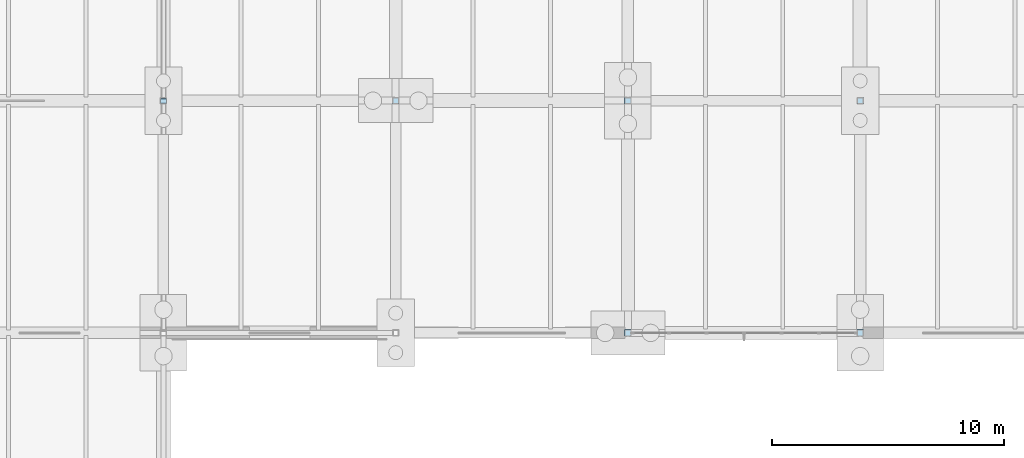
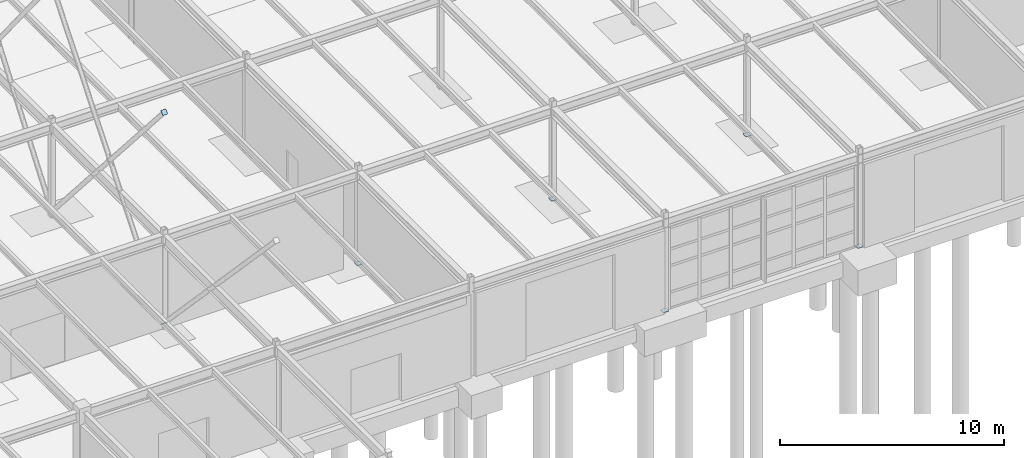
# One storey, part 105 of 145: 7 plates.
"""IFC4 building model written with IfcOpenShell, lengths in metres."""

import ifcopenshell
import ifcopenshell.guid

model = None  # the IFC model being written
_history = None  # IfcOwnerHistory: only IFC2X3 demands one
_inside = {}  # id of a spatial element -> (the spatial element, [elements in it])
_under = {}  # id of a project, library or spatial element -> (it, [spatial elements below it])
_declared = {}  # id of a project -> (the project, [libraries it declares])
_typed = {}  # id of a type object -> (the type object, [elements of that type])
_made_of = {}  # id of a material, layer set ... -> (it, [elements and type objects made of it])


def new_model(schema):
    """Start an empty IFC model of exactly this schema.

    Asked for "IFC4X3", IfcOpenShell would pick the latest addendum, in which some entities
    have other attributes; the version numbers below select the first issue.
    IFC2X3 requires an IfcOwnerHistory on every rooted entity: one is made here for all.
    """
    global model, _history
    if schema == "IFC4X3":
        model = ifcopenshell.file(schema_version=(4, 3, 0, 0))
    else:
        model = ifcopenshell.file(schema=schema)
    _inside.clear()
    _under.clear()
    _declared.clear()
    _typed.clear()
    _made_of.clear()
    _history = None
    if model.schema == "IFC2X3":
        org = make("IfcOrganization", Name="unknown")
        user = make(
            "IfcPersonAndOrganization",
            ThePerson=make("IfcPerson", FamilyName="unknown"),
            TheOrganization=org,
        )
        app = make(
            "IfcApplication",
            ApplicationDeveloper=org,
            Version="unknown",
            ApplicationFullName="unknown",
            ApplicationIdentifier="unknown",
        )
        _history = make(
            "IfcOwnerHistory",
            OwningUser=user,
            OwningApplication=app,
            ChangeAction="ADDED",
            CreationDate=0,
        )
    return model


def make(cls, **values):
    """One entity of the class cls with the attributes given. An attribute that is None is left unset."""
    return model.create_entity(
        cls, **{name: value for name, value in values.items() if value is not None}
    )


def rooted(cls, **values):
    """An entity with a GlobalId (a new one), such as an element, a storey or a relation."""
    return make(cls, GlobalId=ifcopenshell.guid.new(), OwnerHistory=_history, **values)


def si_unit(unit_type, name, prefix=None):
    """IfcSIUnit, for example si_unit("LENGTHUNIT", "METRE", prefix="MILLI")."""
    return make("IfcSIUnit", UnitType=unit_type, Prefix=prefix, Name=name)


def assignment(units):
    """IfcUnitAssignment: the units of a project."""
    return None if units is None else make("IfcUnitAssignment", Units=units)


def point(xyz):
    """IfcCartesianPoint."""
    return None if xyz is None else make("IfcCartesianPoint", Coordinates=xyz)


def direction(xyz):
    """IfcDirection."""
    return None if xyz is None else make("IfcDirection", DirectionRatios=xyz)


def frame(location, z_axis=None, x_axis=None):
    """IfcAxis2Placement3D, a coordinate frame: its origin and axes. An axis left out is left unset."""
    return make(
        "IfcAxis2Placement3D",
        Location=point(location),
        Axis=direction(z_axis),
        RefDirection=direction(x_axis),
    )


def frame_2d(location, x_axis=None):
    """IfcAxis2Placement2D, a coordinate frame in the plane: its origin and x axis."""
    return make(
        "IfcAxis2Placement2D", Location=point(location), RefDirection=direction(x_axis)
    )


def origin():
    """The frame at (0, 0, 0) with its axes left unset."""
    return frame((0.0, 0.0, 0.0))


def origin_2d():
    """The frame at (0, 0) in the plane with its x axis left unset."""
    return frame_2d((0.0, 0.0))


def place(relative_to, where):
    """IfcLocalPlacement: puts the frame where relative to a parent placement (None: the world)."""
    return make(
        "IfcLocalPlacement", PlacementRelTo=relative_to, RelativePlacement=where
    )


def context(
    kind, dimensions, precision=None, world=None, true_north=None, identifier=None
):
    """IfcGeometricRepresentationContext, for example the 3D "Model" context."""
    return make(
        "IfcGeometricRepresentationContext",
        ContextIdentifier=identifier,
        ContextType=kind,
        CoordinateSpaceDimension=dimensions,
        Precision=precision,
        WorldCoordinateSystem=world,
        TrueNorth=true_north,
    )


def subcontext(parent, identifier, kind, view, scale=None):
    """IfcGeometricRepresentationSubContext, for example "Body" below "Model"."""
    return make(
        "IfcGeometricRepresentationSubContext",
        ContextIdentifier=identifier,
        ContextType=kind,
        ParentContext=parent,
        TargetScale=scale,
        TargetView=view,
    )


def project(units=None, contexts=None):
    """IfcProject with its units and contexts."""
    return rooted(
        "IfcProject",
        Name="project",
        RepresentationContexts=contexts,
        UnitsInContext=assignment(units),
    )


def spatial(cls, under=None, at=None, **own):
    """A site, building, storey or space (cls), placed at a placement, below another one or the project."""
    s = rooted(cls, ObjectPlacement=at, **own)
    if under is not None:
        _under.setdefault(under.id(), (under, []))[1].append(s)
    return s


def profile(cls, at=None, kind="AREA", **sizes):
    """A parametric profile (cls). Its sizes go by their IFC names, for example OverallWidth=200.0."""
    return make(cls, ProfileType=kind, Position=at, **sizes)


def rectangle(**sizes):
    """IfcRectangleProfileDef."""
    return profile("IfcRectangleProfileDef", **sizes)


def extrude(swept, where, along, depth):
    """IfcExtrudedAreaSolid: the profile swept, set in the frame where, extruded along a direction by depth."""
    return make(
        "IfcExtrudedAreaSolid",
        SweptArea=swept,
        Position=where,
        ExtrudedDirection=direction(along),
        Depth=depth,
    )


def shape(context_of_items, identifier, shape_type, items):
    """IfcShapeRepresentation: the items that make up one representation, for example the "Body"."""
    return make(
        "IfcShapeRepresentation",
        ContextOfItems=context_of_items,
        RepresentationIdentifier=identifier,
        RepresentationType=shape_type,
        Items=items,
    )


def material(Name=None, Category=None):
    """IfcMaterial."""
    return make("IfcMaterial", Name=Name, Category=Category)


def layer(
    of_material, thickness, ventilated=None, Name=None, Category=None, Priority=None
):
    """IfcMaterialLayer: one layer of a wall or slab, of a material (None: an air gap)."""
    return make(
        "IfcMaterialLayer",
        Material=of_material,
        LayerThickness=thickness,
        IsVentilated=ventilated,
        Name=Name,
        Category=Category,
        Priority=Priority,
    )


def layer_set(layers, Name=None):
    """IfcMaterialLayerSet."""
    return make("IfcMaterialLayerSet", MaterialLayers=layers, LayerSetName=Name)


def made_of(thing, what):
    """Note that an element or type object is made of a material, layer set ...; save() writes the relation."""
    if what is not None:
        _made_of.setdefault(what.id(), (what, []))[1].append(thing)
    return thing


def type_object(cls, material=None, **own):
    """A type object (cls), such as IfcWallType, which elements share."""
    return made_of(rooted(cls, **own), material)


def element(
    cls,
    number,
    at=None,
    inside=None,
    cuts=None,
    type_object=None,
    material=None,
    context=None,
    identifier="Body",
    shape_type=None,
    held_by="IfcProductDefinitionShape",
    body=None,
    shapes=None,
    **own,
):
    """One element of the class cls, such as IfcWall. Its Tag is "e" and its number.

    at: its placement. inside: the storey or other place that contains it. cuts: it is an
    opening in that element (IfcRelVoidsElement). A single representation is given by context,
    identifier, shape_type and body (its items); several are given by shapes. held_by: the class
    of the entity that holds the representations. save() writes the other relations.
    """
    e = rooted(cls, Tag="e%d" % number, ObjectPlacement=at, **own)
    if body is not None:
        shapes = [shape(context, identifier, shape_type, body)]
    if shapes is not None:
        e.Representation = make(held_by, Representations=shapes)
    if inside is not None:
        _inside.setdefault(inside.id(), (inside, []))[1].append(e)
    if cuts is not None:
        rooted(
            "IfcRelVoidsElement", RelatingBuildingElement=cuts, RelatedOpeningElement=e
        )
    if type_object is not None:
        _typed.setdefault(type_object.id(), (type_object, []))[1].append(e)
    return made_of(e, material)


def aggregate(whole, parts):
    """IfcRelAggregates: a whole, such as a stair, and the parts it consists of."""
    return rooted("IfcRelAggregates", RelatingObject=whole, RelatedObjects=parts)


def save(model, path):
    """Write the relations noted so far, then the file.

    IfcRelAggregates (storeys below a building ...), IfcRelContainedInSpatialStructure (elements
    in a storey), IfcRelDefinesByType, IfcRelAssociatesMaterial and IfcRelDeclares: one each for
    every whole, place, type object, material and project.
    """
    for whole, parts in _under.values():
        aggregate(whole, parts)
    for where, things in _inside.values():
        rooted(
            "IfcRelContainedInSpatialStructure",
            RelatedElements=things,
            RelatingStructure=where,
        )
    for kind, things in _typed.values():
        rooted("IfcRelDefinesByType", RelatedObjects=things, RelatingType=kind)
    for what, things in _made_of.values():
        rooted("IfcRelAssociatesMaterial", RelatedObjects=things, RelatingMaterial=what)
    for by, libraries in _declared.values():
        rooted("IfcRelDeclares", RelatingContext=by, RelatedDefinitions=libraries)
    model.write(path)


model = new_model("IFC4")

# Units and contexts
model_context = context("Model", 3, precision=1e-05, world=origin(), true_north=direction((0.0, 1.0)))
body_context = subcontext(model_context, "Body", "Model", "MODEL_VIEW")
ifc_project = project(units=[si_unit("LENGTHUNIT", "METRE"), si_unit("AREAUNIT", "SQUARE_METRE"), si_unit("VOLUMEUNIT", "CUBIC_METRE"), si_unit("PLANEANGLEUNIT", "RADIAN"), si_unit("MASSUNIT", "GRAM", prefix="KILO"), si_unit("THERMODYNAMICTEMPERATUREUNIT", "KELVIN"), si_unit("POWERUNIT", "WATT")], contexts=[model_context])

# Site, building, storey
site_placement = place(None, origin())
site = spatial("IfcSite", under=ifc_project, at=site_placement, CompositionType="ELEMENT")
building_placement = place(site_placement, origin())
building = spatial("IfcBuilding", under=site, at=building_placement, Name="Korenveer Ferry Terminal", CompositionType="ELEMENT")
storey_placement = place(building_placement, origin())
storey = spatial("IfcBuildingStorey", under=building, at=storey_placement, Name="L00", CompositionType="ELEMENT", Elevation=0.0)

# Plates
ifc_material = material(Name="Steel S355", Category="steel")
ifc_layer = layer(ifc_material, 0.031982421875)
ifc_layer_set = layer_set([ifc_layer], Name="Steel S355")
plate_type = type_object("IfcPlateType", Name="STR-PLT-CAP32", PredefinedType="USERDEFINED", material=ifc_layer_set)
for number, where, z_axis, x_axis, name in (
    (1, (73.0, 30.0, -0.0322265625), (0.0, 0.0, 1.0), (1.0, 0.0, 0.0), "Hollow section end cap 19"),
    (2, (83.0, 20.0, -0.0322265625), (0.0, 0.0, 1.0), (1.0, 0.0, 0.0), "Hollow section end cap 21"),
    (3, (83.0, 30.0, -0.0322265625), (0.0, 0.0, 1.0), (1.0, 0.0, 0.0), "Hollow section end cap 22"),
    (4, (93.0, 20.0, -0.0322265625), (0.0, 0.0, 1.0), (1.0, 0.0, 0.0), "Hollow section end cap 24"),
    (5, (93.0, 30.0, -0.0322265625), (0.0, 0.0, 1.0), (1.0, 0.0, 0.0), "Hollow section end cap 25"),
):
    element("IfcPlate", number, at=place(storey_placement, frame(where, z_axis=z_axis, x_axis=x_axis)), inside=storey, type_object=plate_type, Name=name, ObjectType="END CAP PLATE", PredefinedType="USERDEFINED", context=body_context, shape_type="SweptSolid", body=[
        extrude(rectangle(XDim=0.280029296875, YDim=0.280029296875, at=origin_2d()), origin(), (0.0, 0.0, 1.0), 0.031982421875),
    ])
for number, where, z_axis, x_axis, name in (
    (6, (63.0, 29.97998046875, 0.22509765625), (0.0, 0.628847979278, 0.777528275343), (-1.0, 0.0, 0.0), "Hollow section end cap 163"),
    (7, (63.0, 30.0, 11.70654296875), (0.0, -0.657599163703, 0.753367997659), (1.0, 0.0, 0.0), "Hollow section end cap 168"),
):
    element("IfcPlate", number, at=place(storey_placement, frame(where, z_axis=z_axis, x_axis=x_axis)), inside=storey, type_object=plate_type, Name=name, ObjectType="END CAP PLATE", PredefinedType="USERDEFINED", context=body_context, shape_type="SweptSolid", body=[
        extrude(rectangle(XDim=0.2490234375, YDim=0.2490234375, at=origin_2d()), origin(), (0.0, 0.0, 1.0), 0.031982421875),
    ])

save(model, "model.ifc")
